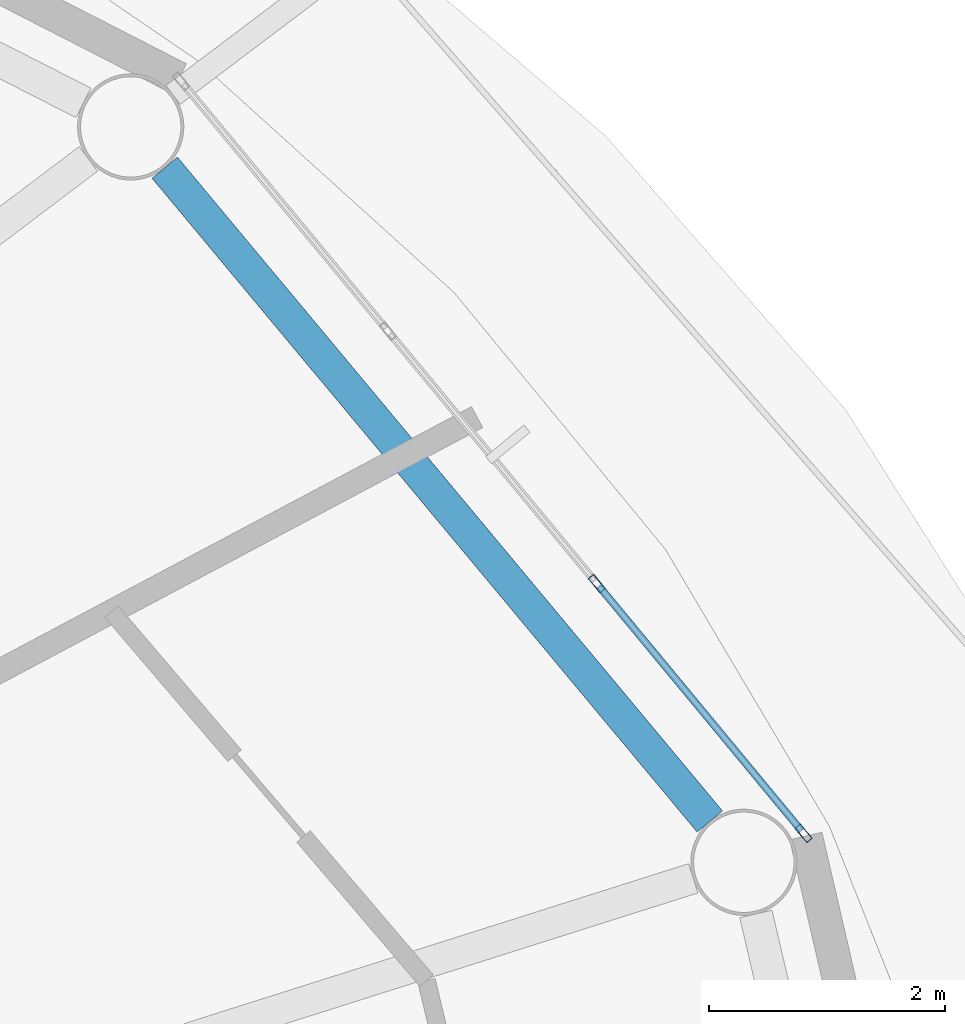
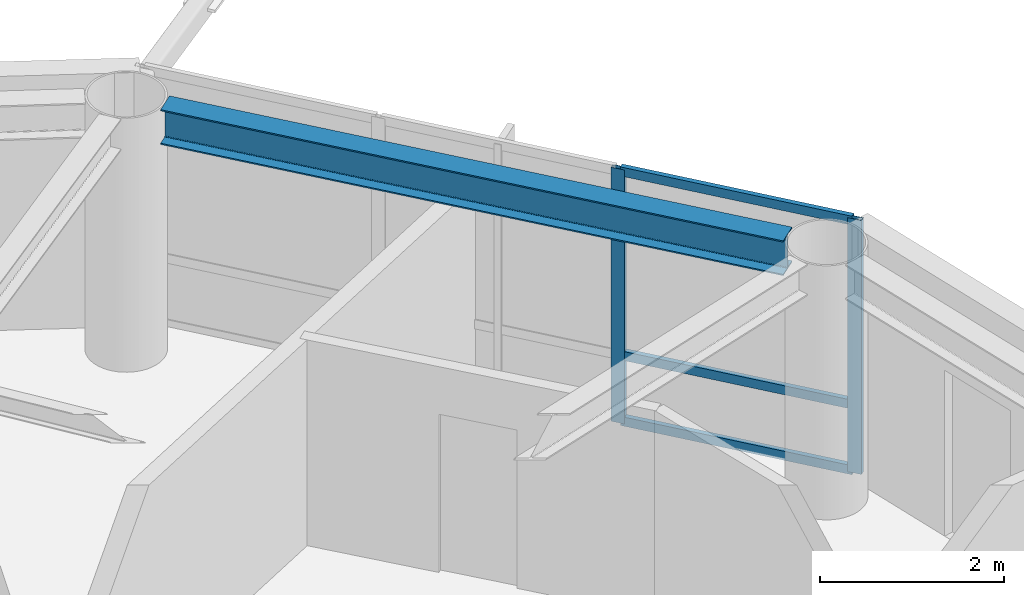
# One storey, part 7 of 22: 5 members, 1 beam, 1 element without a shape of its own.
"""IFC4 building model written with IfcOpenShell, lengths in metres."""

from ifc_helpers import new_model, si_unit, direction, frame, origin, origin_2d, place, context, subcontext, project, spatial, hollow_rectangle, i_section, extrude, material, layer, layer_set, material_profile, profile_set, type_object, element, aggregate, save


model = new_model("IFC4")

# Units and contexts
model_context = context("Model", 3, precision=1e-05, world=origin(), true_north=direction((0.0, 1.0)))
body_context = subcontext(model_context, "Body", "Model", "MODEL_VIEW")
ifc_project = project(units=[si_unit("LENGTHUNIT", "METRE"), si_unit("AREAUNIT", "SQUARE_METRE"), si_unit("VOLUMEUNIT", "CUBIC_METRE"), si_unit("PLANEANGLEUNIT", "RADIAN"), si_unit("MASSUNIT", "GRAM", prefix="KILO")], contexts=[model_context])

# Site, building, storey
site_placement = place(None, origin())
site = spatial("IfcSite", under=ifc_project, at=site_placement, CompositionType="ELEMENT")
building_placement = place(site_placement, origin())
building = spatial("IfcBuilding", under=site, at=building_placement, Name="Sarneth Arch Tower", CompositionType="ELEMENT")
storey_placement = place(building_placement, frame((0.0, 0.0, 291.0)))
storey = spatial("IfcBuildingStorey", under=building, at=storey_placement, Name="L75", CompositionType="ELEMENT", Elevation=291.0)

# Beam
ifc_material_1 = material(Name="Steel S355", Category="steel")
ifc_material_profile_1 = material_profile(ifc_material_1, i_section(OverallWidth=0.280029296875, OverallDepth=0.462890625, WebThickness=0.0107421875, FlangeThickness=0.017333984375, FilletRadius=0.01806640625, at=origin_2d()), Name="W460x113")
ifc_profile_set_1 = profile_set([ifc_material_profile_1], Name="Steel S355")
beam_type = type_object("IfcBeamType", Name="BM-RAD-460A", PredefinedType="BEAM", material=ifc_profile_set_1)
beam_placement = place(storey_placement, frame((70.880615234375, 49.693115234375, 3.138427734375), z_axis=(-0.640390876881, 0.768049168222, 0.0), x_axis=(-0.768049168222, -0.640390876881, 0.0)))
element("IfcBeam", 1, at=beam_placement, inside=storey, type_object=beam_type, Name="L75 Perimeter spandrel beam 02", PredefinedType="BEAM", context=body_context, shape_type="SweptSolid", body=[
    extrude(i_section(OverallWidth=0.280029296875, OverallDepth=0.462890625, WebThickness=0.0107421875, FlangeThickness=0.017333984375, FilletRadius=0.01806640625, at=origin_2d()), origin(), (0.0, 0.0, 1.0), 7.2099609375),
])

# Curtain wall, members
ifc_material_2 = material(Name="Anodised aluminium Type AA25 and solar-control low-e laminated IGU", Category="aluminium")
ifc_layer = layer(ifc_material_2, 0.179931640625)
ifc_layer_set = layer_set([ifc_layer], Name="Anodised aluminium Type AA25 and solar-control low-e laminated IGU")
curtain_wall_type = type_object("IfcCurtainWallType", Name="CW-RES-HIGH", PredefinedType="NOTDEFINED", material=ifc_layer_set)
curtain_wall_placement = place(storey_placement, origin())
curtain_wall = element("IfcCurtainWall", 2, at=curtain_wall_placement, inside=storey, type_object=curtain_wall_type, Name="L75 Unitised curtain wall facet 02", PredefinedType="NOTDEFINED")
ifc_material_3 = material(Name="Anodised Aluminium 6063-T6", Category="aluminium")
ifc_material_profile_2 = material_profile(ifc_material_3, hollow_rectangle(XDim=0.06005859375, YDim=0.159912109375, WallThickness=0.00390625, at=origin_2d()), Name="AL-MULL-160x60x4")
ifc_profile_set_2 = profile_set([ifc_material_profile_2], Name="Anodised Aluminium 6063-T6")
member_type_1 = type_object("IfcMemberType", Name="CW-MULLION", PredefinedType="MULLION", material=ifc_profile_set_2)
member_1_placement = place(storey_placement, frame((71.674560546875, 49.592529296875, 0.0), z_axis=(0.0, 0.0, 1.0), x_axis=(-0.770359245933, -0.637610094184, 0.0)))
member_1 = element("IfcMember", 3, at=member_1_placement, type_object=member_type_1, Name="CW-SYS-6 mullion 1", PredefinedType="MULLION", context=body_context, shape_type="SweptSolid", body=[
    extrude(hollow_rectangle(XDim=0.06005859375, YDim=0.159912109375, WallThickness=0.00390625, at=origin_2d()), origin(), (0.0, 0.0, 1.0), 3.3701171875),
])
member_2_placement = place(storey_placement, frame((69.92333984375, 51.70849609375, 0.0), z_axis=(0.0, 0.0, 1.0), x_axis=(-0.770359245933, -0.637610094184, 0.0)))
member_2 = element("IfcMember", 4, at=member_2_placement, type_object=member_type_1, Name="CW-SYS-6 mullion 2", PredefinedType="MULLION", context=body_context, shape_type="SweptSolid", body=[
    extrude(hollow_rectangle(XDim=0.06005859375, YDim=0.159912109375, WallThickness=0.00390625, at=origin_2d()), origin(), (0.0, 0.0, 1.0), 3.3701171875),
])
ifc_material_4 = material(Name="Anodised Aluminium 6063-T6", Category="aluminium")
ifc_material_profile_3 = material_profile(ifc_material_4, hollow_rectangle(XDim=0.06005859375, YDim=0.1201171875, WallThickness=0.00390625, at=origin_2d()), Name="AL-TRAN-120x60x4")
ifc_profile_set_3 = profile_set([ifc_material_profile_3], Name="Anodised Aluminium 6063-T6")
member_type_2 = type_object("IfcMemberType", Name="CW-TRANSOM", PredefinedType="USERDEFINED", material=ifc_profile_set_3)
member_3_placement = place(storey_placement, frame((71.655517578125, 49.61572265625, 0.030029296875), z_axis=(-0.637651400067, 0.770325056059, 0.0), x_axis=(-0.770325056059, -0.637651400067, 0.0)))
member_3 = element("IfcMember", 5, at=member_3_placement, type_object=member_type_2, Name="CW-SYS-6 transom 1.1", ObjectType="TRANSOM", PredefinedType="USERDEFINED", context=body_context, shape_type="SweptSolid", body=[
    extrude(hollow_rectangle(XDim=0.06005859375, YDim=0.1201171875, WallThickness=0.00390625, at=origin_2d()), origin(), (0.0, 0.0, 1.0), 2.6865234375),
])
member_4_placement = place(storey_placement, frame((71.655517578125, 49.61572265625, 0.89990234375), z_axis=(-0.637651400067, 0.770325056059, 0.0), x_axis=(-0.770325056059, -0.637651400067, 0.0)))
member_4 = element("IfcMember", 6, at=member_4_placement, type_object=member_type_2, Name="CW-SYS-6 transom 1.2", ObjectType="TRANSOM", PredefinedType="USERDEFINED", context=body_context, shape_type="SweptSolid", body=[
    extrude(hollow_rectangle(XDim=0.06005859375, YDim=0.1201171875, WallThickness=0.00390625, at=origin_2d()), origin(), (0.0, 0.0, 1.0), 2.6865234375),
])
member_5_placement = place(storey_placement, frame((71.655517578125, 49.61572265625, 3.340087890625), z_axis=(-0.637651400067, 0.770325056059, 0.0), x_axis=(-0.770325056059, -0.637651400067, 0.0)))
member_5 = element("IfcMember", 7, at=member_5_placement, type_object=member_type_2, Name="CW-SYS-6 transom 1.3", ObjectType="TRANSOM", PredefinedType="USERDEFINED", context=body_context, shape_type="SweptSolid", body=[
    extrude(hollow_rectangle(XDim=0.06005859375, YDim=0.1201171875, WallThickness=0.00390625, at=origin_2d()), origin(), (0.0, 0.0, 1.0), 2.6865234375),
])
aggregate(curtain_wall, [member_1, member_2, member_3, member_4, member_5])

save(model, "model.ifc")
